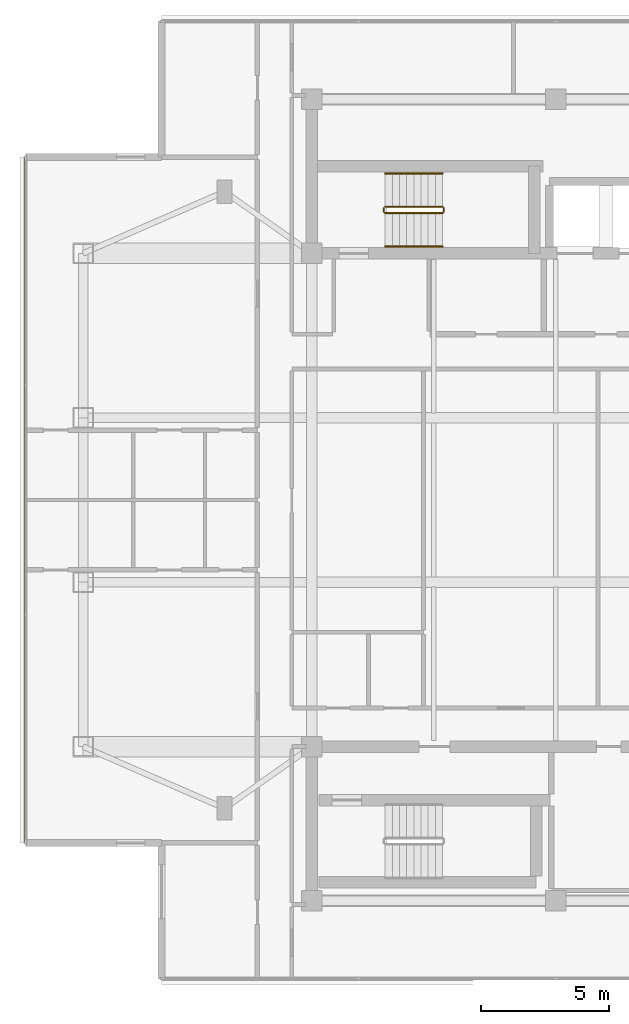
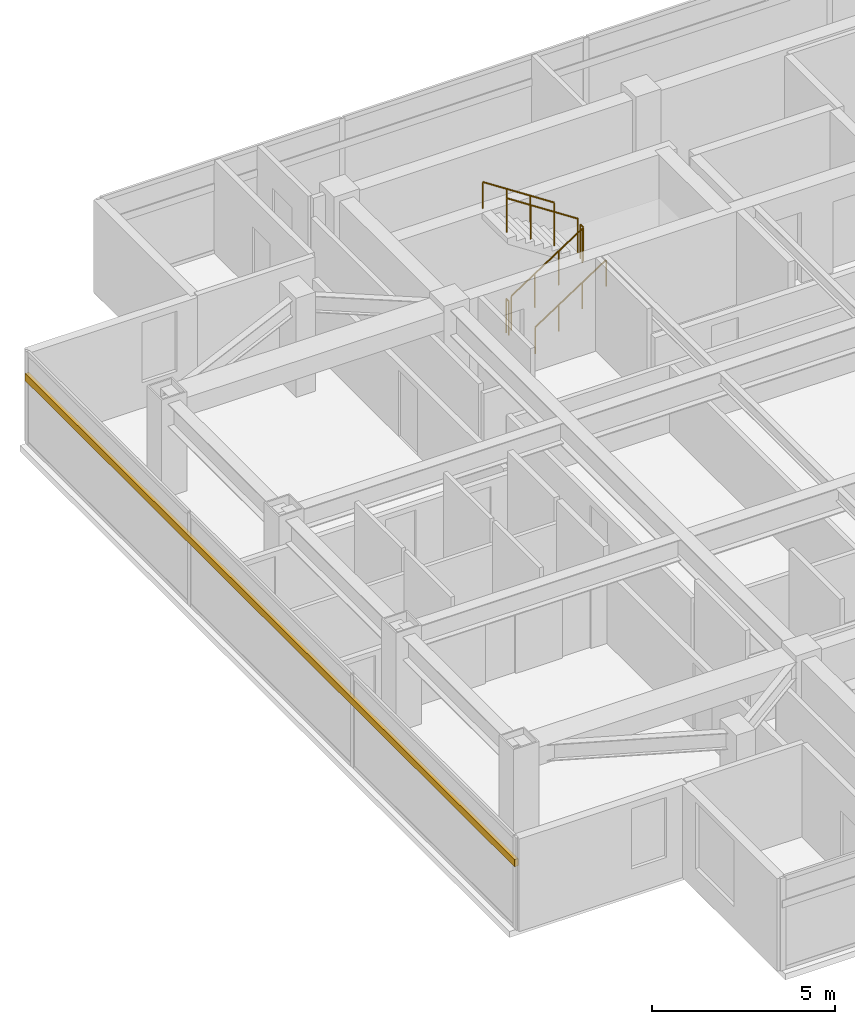
# One storey, part 11 of 12: 6 railings, 1 shading device.
"""IFC4 building model written with IfcOpenShell, lengths in metres."""

from ifc_helpers import new_model, si_unit, direction, frame, origin, origin_2d, place, context, subcontext, project, spatial, rectangle, circle, extrude, material, material_profile, profile_set, type_object, element, save


model = new_model("IFC4")

# Units and contexts
model_context = context("Model", 3, precision=1e-05, world=origin(), true_north=direction((0.0, 1.0)))
body_context = subcontext(model_context, "Body", "Model", "MODEL_VIEW")
ifc_project = project(units=[si_unit("LENGTHUNIT", "METRE"), si_unit("AREAUNIT", "SQUARE_METRE"), si_unit("VOLUMEUNIT", "CUBIC_METRE"), si_unit("PLANEANGLEUNIT", "RADIAN"), si_unit("MASSUNIT", "GRAM", prefix="KILO")], contexts=[model_context])

# Site, building, storey
site_placement = place(None, origin())
site = spatial("IfcSite", under=ifc_project, at=site_placement, CompositionType="ELEMENT")
building_placement = place(site_placement, origin())
building = spatial("IfcBuilding", under=site, at=building_placement, Name="Mirazonda Arch Towers", CompositionType="ELEMENT")
storey_placement = place(building_placement, frame((0.0, 0.0, 226.0)))
storey = spatial("IfcBuildingStorey", under=building, at=storey_placement, Name="L64", CompositionType="ELEMENT", Elevation=226.0)

# Shading device
ifc_material_1 = material(Name="Kiln-Fired Architectural Terracotta", Category="masonry")
ifc_material_profile = material_profile(ifc_material_1, rectangle(XDim=0.1201171875, YDim=0.239990234375, at=origin_2d()), Name="TERRA-BAG-120x240")
ifc_profile_set = profile_set([ifc_material_profile], Name="Kiln-Fired Architectural Terracotta")
shading_device_type = type_object("IfcShadingDeviceType", Name="BAGUETTE-1", PredefinedType="USERDEFINED", material=ifc_profile_set)
shading_device_placement = place(storey_placement, frame((-0.139892578125, 41.345947265625, 2.217529296875), z_axis=(0.0, -1.0, 0.0), x_axis=(1.0, 0.0, 0.0)))
element("IfcShadingDevice", 1, at=shading_device_placement, inside=storey, type_object=shading_device_type, Name="L64 Glazed Terracotta Sun-Screen Baguette CW-L64-T1-W", ObjectType="BAGUETTE", PredefinedType="USERDEFINED", context=body_context, shape_type="SweptSolid", body=[
    extrude(rectangle(XDim=0.1201171875, YDim=0.239990234375, at=origin_2d()), origin(), (0.0, 0.0, 1.0), 26.69189453125),
])

# Railings
ifc_material_2 = material(Name="Architectural Brushed Steel S355", Category="steel")
railing_type_1 = type_object("IfcRailingType", Name="GUARD-STAIR-1120", PredefinedType="GUARDRAIL", material=ifc_material_2)
railing_1_placement = place(storey_placement, frame((13.85009765625, 39.169921875, 0.183349609375)))
element("IfcRailing", 2, at=railing_1_placement, inside=storey, type_object=railing_type_1, Name="L64 ST-T1N stair guard 1", PredefinedType="GUARDRAIL", context=body_context, shape_type="SweptSolid", body=[
    extrude(circle(Radius=0.02392578125, at=origin_2d()), frame((0.0, 0.0, 1.1259765625), z_axis=(0.836636935527, 0.0, 0.547757827979), x_axis=(0.0, 1.0, 0.0)), (0.0, 0.0, 1.0), 2.677490234375),
    extrude(circle(Radius=0.02099609375, at=origin_2d()), origin(), (0.0, 0.0, 1.0), 1.101806640625),
    extrude(circle(Radius=0.02099609375, at=origin_2d()), frame((0.74658203125, 0.0, 0.48876953125)), (0.0, 0.0, 1.0), 1.101806640625),
    extrude(circle(Radius=0.02099609375, at=origin_2d()), frame((1.493408203125, 0.0, 0.977783203125)), (0.0, 0.0, 1.0), 1.101806640625),
    extrude(circle(Radius=0.02099609375, at=origin_2d()), frame((2.239990234375, 0.0, 1.466552734375)), (0.0, 0.0, 1.0), 1.101806640625),
])
railing_2_placement = place(storey_placement, frame((16.139892578125, 39.219970703125, 1.64990234375)))
element("IfcRailing", 3, at=railing_2_placement, inside=storey, type_object=railing_type_1, Name="L64 ST-T1N stair guard 2", PredefinedType="GUARDRAIL", context=body_context, shape_type="SweptSolid", body=[
    extrude(circle(Radius=0.02392578125, at=origin_2d()), frame((0.0, 0.0, 1.1259765625), z_axis=(0.0, 1.0, 0.0), x_axis=(-1.0, 0.0, 0.0)), (0.0, 0.0, 1.0), 0.14013671875),
    extrude(circle(Radius=0.02099609375, at=origin_2d()), origin(), (0.0, 0.0, 1.0), 1.101806640625),
    extrude(circle(Radius=0.02099609375, at=origin_2d()), frame((0.0, 0.14013671875, 0.0)), (0.0, 0.0, 1.0), 1.101806640625),
])
railing_3_placement = place(storey_placement, frame((16.090087890625, 39.409912109375, 1.833251953125)))
element("IfcRailing", 4, at=railing_3_placement, inside=storey, type_object=railing_type_1, Name="L64 ST-T1N stair guard 3", PredefinedType="GUARDRAIL", context=body_context, shape_type="SweptSolid", body=[
    extrude(circle(Radius=0.02392578125, at=origin_2d()), frame((0.0, 0.0, 1.1259765625), z_axis=(-0.836595146698, 0.0, 0.547821650285), x_axis=(0.0, -1.0, 0.0)), (0.0, 0.0, 1.0), 2.677490234375),
    extrude(circle(Radius=0.02099609375, at=origin_2d()), origin(), (0.0, 0.0, 1.0), 1.101806640625),
    extrude(circle(Radius=0.02099609375, at=origin_2d()), frame((-0.74658203125, 0.0, 0.489013671875)), (0.0, 0.0, 1.0), 1.101806640625),
    extrude(circle(Radius=0.02099609375, at=origin_2d()), frame((-1.493408203125, 0.0, 0.977783203125)), (0.0, 0.0, 1.0), 1.101806640625),
    extrude(circle(Radius=0.02099609375, at=origin_2d()), frame((-2.239990234375, 0.0, 1.466796875)), (0.0, 0.0, 1.0), 1.101806640625),
])
railing_4_placement = place(storey_placement, frame((13.800048828125, 39.219970703125, 0.0)))
element("IfcRailing", 5, at=railing_4_placement, inside=storey, type_object=railing_type_1, Name="L64 ST-T1N stair guard 4", PredefinedType="GUARDRAIL", context=body_context, shape_type="SweptSolid", body=[
    extrude(circle(Radius=0.02392578125, at=origin_2d()), frame((0.0, 0.0, 1.1259765625), z_axis=(0.0, 1.0, 0.0), x_axis=(-1.0, 0.0, 0.0)), (0.0, 0.0, 1.0), 0.14013671875),
    extrude(circle(Radius=0.02099609375, at=origin_2d()), origin(), (0.0, 0.0, 1.0), 1.101806640625),
    extrude(circle(Radius=0.02099609375, at=origin_2d()), frame((0.0, 0.14013671875, 0.0)), (0.0, 0.0, 1.0), 1.101806640625),
])
railing_type_2 = type_object("IfcRailingType", Name="HANDRAIL-915", PredefinedType="HANDRAIL", material=ifc_material_2)
railing_5_placement = place(storey_placement, frame((13.85009765625, 37.8701171875, 0.183349609375)))
element("IfcRailing", 6, at=railing_5_placement, inside=storey, type_object=railing_type_2, Name="L64 ST-T1N stair handrail 1", PredefinedType="HANDRAIL", context=body_context, shape_type="SweptSolid", body=[
    extrude(circle(Radius=0.02392578125, at=origin_2d()), frame((0.0, 0.0, 0.8759765625), z_axis=(0.836636935527, 0.0, 0.547757827979), x_axis=(0.0, 1.0, 0.0)), (0.0, 0.0, 1.0), 2.677490234375),
    extrude(circle(Radius=0.02099609375, at=origin_2d()), origin(), (0.0, 0.0, 1.0), 0.851806640625),
    extrude(circle(Radius=0.02099609375, at=origin_2d()), frame((0.74658203125, 0.0, 0.48876953125)), (0.0, 0.0, 1.0), 0.851806640625),
    extrude(circle(Radius=0.02099609375, at=origin_2d()), frame((1.493408203125, 0.0, 0.977783203125)), (0.0, 0.0, 1.0), 0.851806640625),
    extrude(circle(Radius=0.02099609375, at=origin_2d()), frame((2.239990234375, 0.0, 1.466552734375)), (0.0, 0.0, 1.0), 0.851806640625),
])
railing_6_placement = place(storey_placement, frame((16.090087890625, 40.7099609375, 1.833251953125)))
element("IfcRailing", 7, at=railing_6_placement, inside=storey, type_object=railing_type_2, Name="L64 ST-T1N stair handrail 2", PredefinedType="HANDRAIL", context=body_context, shape_type="SweptSolid", body=[
    extrude(circle(Radius=0.02392578125, at=origin_2d()), frame((0.0, 0.0, 0.8759765625), z_axis=(-0.836595146698, 0.0, 0.547821650285), x_axis=(0.0, -1.0, 0.0)), (0.0, 0.0, 1.0), 2.677490234375),
    extrude(circle(Radius=0.02099609375, at=origin_2d()), origin(), (0.0, 0.0, 1.0), 0.851806640625),
    extrude(circle(Radius=0.02099609375, at=origin_2d()), frame((-0.74658203125, 0.0, 0.489013671875)), (0.0, 0.0, 1.0), 0.851806640625),
    extrude(circle(Radius=0.02099609375, at=origin_2d()), frame((-1.493408203125, 0.0, 0.977783203125)), (0.0, 0.0, 1.0), 0.851806640625),
    extrude(circle(Radius=0.02099609375, at=origin_2d()), frame((-2.239990234375, 0.0, 1.466796875)), (0.0, 0.0, 1.0), 0.851806640625),
])

save(model, "model.ifc")
